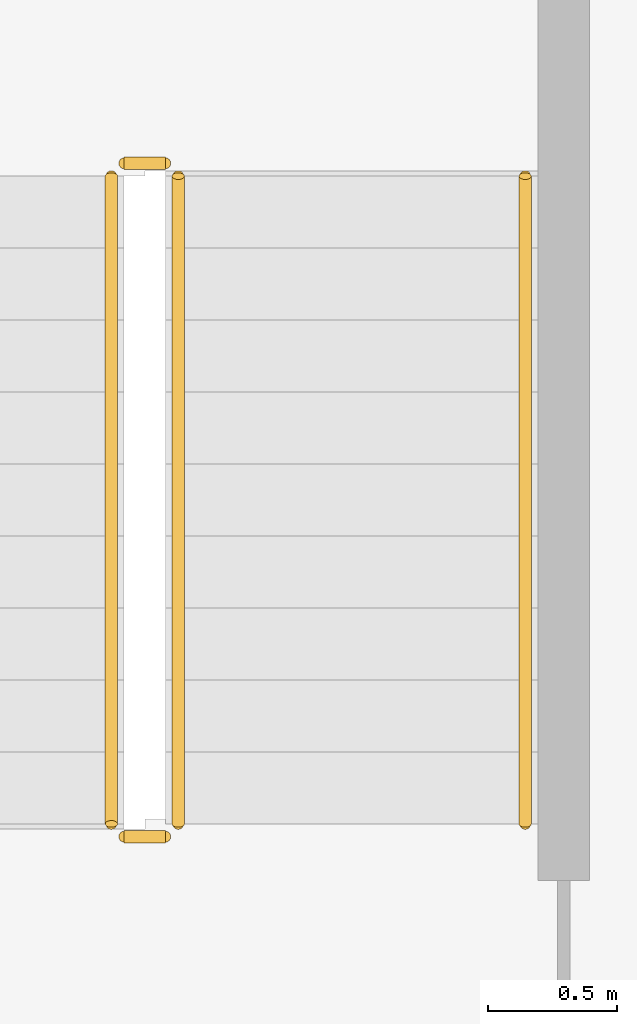
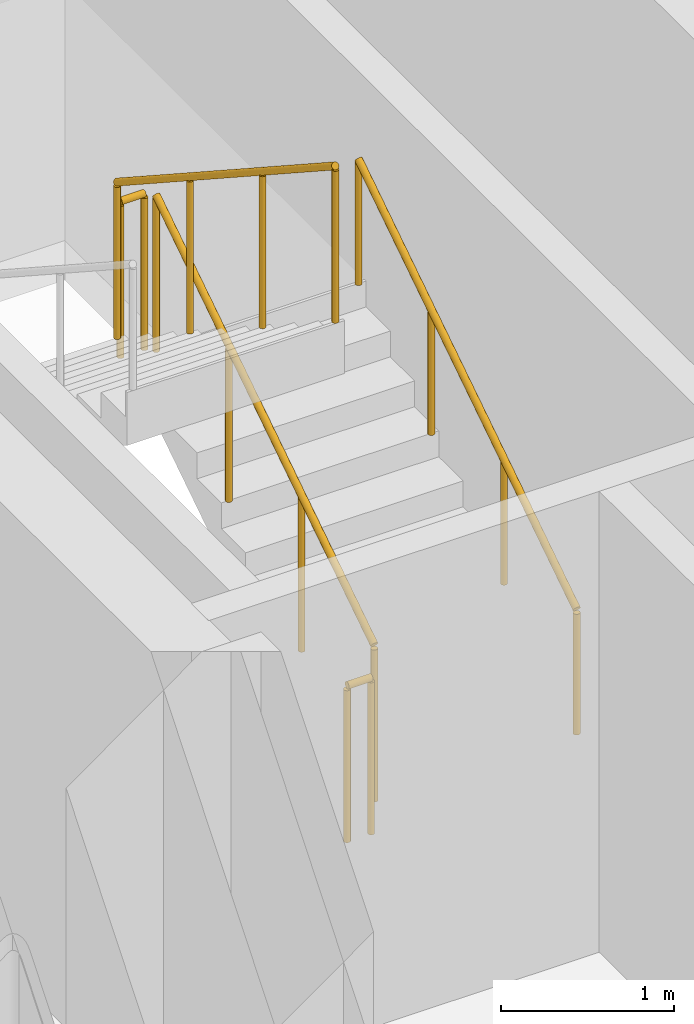
# One storey, part 10 of 12: 5 railings.
"""IFC4 building model written with IfcOpenShell, lengths in metres."""

from ifc_helpers import new_model, si_unit, direction, frame, origin, origin_2d, place, context, subcontext, project, spatial, circle, extrude, material, type_object, element, save


model = new_model("IFC4")

# Units and contexts
model_context = context("Model", 3, precision=1e-05, world=origin(), true_north=direction((0.0, 1.0)))
body_context = subcontext(model_context, "Body", "Model", "MODEL_VIEW")
ifc_project = project(units=[si_unit("LENGTHUNIT", "METRE"), si_unit("AREAUNIT", "SQUARE_METRE"), si_unit("VOLUMEUNIT", "CUBIC_METRE"), si_unit("PLANEANGLEUNIT", "RADIAN"), si_unit("MASSUNIT", "GRAM", prefix="KILO")], contexts=[model_context])

# Site, building, storey
site_placement = place(None, origin())
site = spatial("IfcSite", under=ifc_project, at=site_placement, CompositionType="ELEMENT")
building_placement = place(site_placement, origin())
building = spatial("IfcBuilding", under=site, at=building_placement, Name="Nuvemarco Arch Tower", CompositionType="ELEMENT")
storey_placement = place(building_placement, frame((0.0, 0.0, 53.14990234375)))
storey = spatial("IfcBuildingStorey", under=building, at=storey_placement, Name="L13", CompositionType="ELEMENT", Elevation=53.14990234375)

# Railings
ifc_material_1 = material(Name="Brushed stainless steel handrail", Category="steel")
railing_type_1 = type_object("IfcRailingType", Name="RL-HANDRAIL-900", PredefinedType="HANDRAIL", material=ifc_material_1)
railing_1_placement = place(storey_placement, frame((-13.590087890625, 2.64990234375, 0.1826171875)))
element("IfcRailing", 1, at=railing_1_placement, inside=storey, type_object=railing_type_1, Name="L13 ST-1 stair handrail 1", PredefinedType="HANDRAIL", context=body_context, shape_type="SweptSolid", body=[
    extrude(circle(Radius=0.02392578125, at=origin_2d()), frame((0.0, 0.0, 0.8759765625), z_axis=(0.0, 0.837749427056, 0.546054848405), x_axis=(-1.0, 0.0, 0.0)), (0.0, 0.0, 1.0), 3.008056640625),
    extrude(circle(Radius=0.02099609375, at=origin_2d()), origin(), (0.0, 0.0, 1.0), 0.851806640625),
    extrude(circle(Radius=0.02099609375, at=origin_2d()), frame((0.0, 0.840087890625, 0.547607421875)), (0.0, 0.0, 1.0), 0.851806640625),
    extrude(circle(Radius=0.02099609375, at=origin_2d()), frame((0.0, 1.679931640625, 1.094970703125)), (0.0, 0.0, 1.0), 0.851806640625),
    extrude(circle(Radius=0.02099609375, at=origin_2d()), frame((0.0, 2.52001953125, 1.642578125)), (0.0, 0.0, 1.0), 0.851806640625),
])
ifc_material_2 = material(Name="Painted balustrade steel S355", Category="steel")
railing_type_2 = type_object("IfcRailingType", Name="RL-STAIR-GUARD", PredefinedType="GUARDRAIL", material=ifc_material_2)
railing_2_placement = place(storey_placement, frame((-14.93994140625, 2.64990234375, 0.1826171875)))
element("IfcRailing", 2, at=railing_2_placement, inside=storey, type_object=railing_type_2, Name="L13 ST-1 stair guard 1", PredefinedType="GUARDRAIL", context=body_context, shape_type="SweptSolid", body=[
    extrude(circle(Radius=0.02392578125, at=origin_2d()), frame((0.0, 0.0, 1.09619140625), z_axis=(0.0, 0.837749427056, 0.546054848405), x_axis=(-1.0, 0.0, 0.0)), (0.0, 0.0, 1.0), 3.008056640625),
    extrude(circle(Radius=0.02099609375, at=origin_2d()), origin(), (0.0, 0.0, 1.0), 1.072021484375),
    extrude(circle(Radius=0.02099609375, at=origin_2d()), frame((0.0, 0.840087890625, 0.547607421875)), (0.0, 0.0, 1.0), 1.072021484375),
    extrude(circle(Radius=0.02099609375, at=origin_2d()), frame((0.0, 1.679931640625, 1.094970703125)), (0.0, 0.0, 1.0), 1.072021484375),
    extrude(circle(Radius=0.02099609375, at=origin_2d()), frame((0.0, 2.52001953125, 1.642578125)), (0.0, 0.0, 1.0), 1.072021484375),
])
railing_3_placement = place(storey_placement, frame((-14.989990234375, 5.219970703125, 1.8251953125)))
element("IfcRailing", 3, at=railing_3_placement, inside=storey, type_object=railing_type_2, Name="L13 ST-1 stair guard 2", PredefinedType="GUARDRAIL", context=body_context, shape_type="SweptSolid", body=[
    extrude(circle(Radius=0.02392578125, at=origin_2d()), frame((0.0, 0.0, 1.09619140625), z_axis=(-1.0, 0.0, 0.0), x_axis=(0.0, -1.0, 0.0)), (0.0, 0.0, 1.0), 0.159912109375),
    extrude(circle(Radius=0.02099609375, at=origin_2d()), origin(), (0.0, 0.0, 1.0), 1.072021484375),
    extrude(circle(Radius=0.02099609375, at=origin_2d()), frame((-0.159912109375, 0.0, 0.0)), (0.0, 0.0, 1.0), 1.072021484375),
])
railing_4_placement = place(storey_placement, frame((-15.199951171875, 5.169921875, 2.007568359375)))
element("IfcRailing", 4, at=railing_4_placement, inside=storey, type_object=railing_type_2, Name="L13 ST-1 stair guard 3", PredefinedType="GUARDRAIL", context=body_context, shape_type="SweptSolid", body=[
    extrude(circle(Radius=0.02392578125, at=origin_2d()), frame((0.0, 0.0, 1.09619140625), z_axis=(0.0, -0.837749427056, 0.546054848405), x_axis=(1.0, 0.0, 0.0)), (0.0, 0.0, 1.0), 3.008056640625),
    extrude(circle(Radius=0.02099609375, at=origin_2d()), origin(), (0.0, 0.0, 1.0), 1.072021484375),
    extrude(circle(Radius=0.02099609375, at=origin_2d()), frame((0.0, -0.840087890625, 0.547607421875)), (0.0, 0.0, 1.0), 1.072021484375),
    extrude(circle(Radius=0.02099609375, at=origin_2d()), frame((0.0, -1.679931640625, 1.094970703125)), (0.0, 0.0, 1.0), 1.072021484375),
    extrude(circle(Radius=0.02099609375, at=origin_2d()), frame((0.0, -2.52001953125, 1.642578125)), (0.0, 0.0, 1.0), 1.072021484375),
])
railing_5_placement = place(storey_placement, frame((-14.989990234375, 2.60009765625, 0.0)))
element("IfcRailing", 5, at=railing_5_placement, inside=storey, type_object=railing_type_2, Name="L13 ST-1 stair guard 4", PredefinedType="GUARDRAIL", context=body_context, shape_type="SweptSolid", body=[
    extrude(circle(Radius=0.02392578125, at=origin_2d()), frame((0.0, 0.0, 1.09619140625), z_axis=(-1.0, 0.0, 0.0), x_axis=(0.0, -1.0, 0.0)), (0.0, 0.0, 1.0), 0.159912109375),
    extrude(circle(Radius=0.02099609375, at=origin_2d()), origin(), (0.0, 0.0, 1.0), 1.072021484375),
    extrude(circle(Radius=0.02099609375, at=origin_2d()), frame((-0.159912109375, 0.0, 0.0)), (0.0, 0.0, 1.0), 1.072021484375),
])

save(model, "model.ifc")
